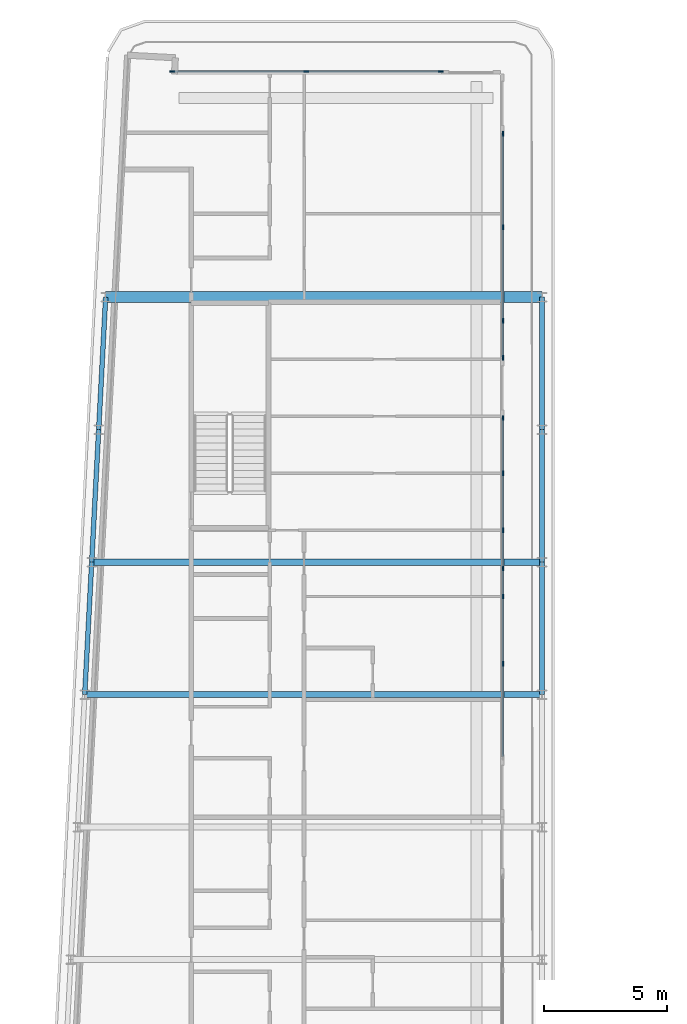
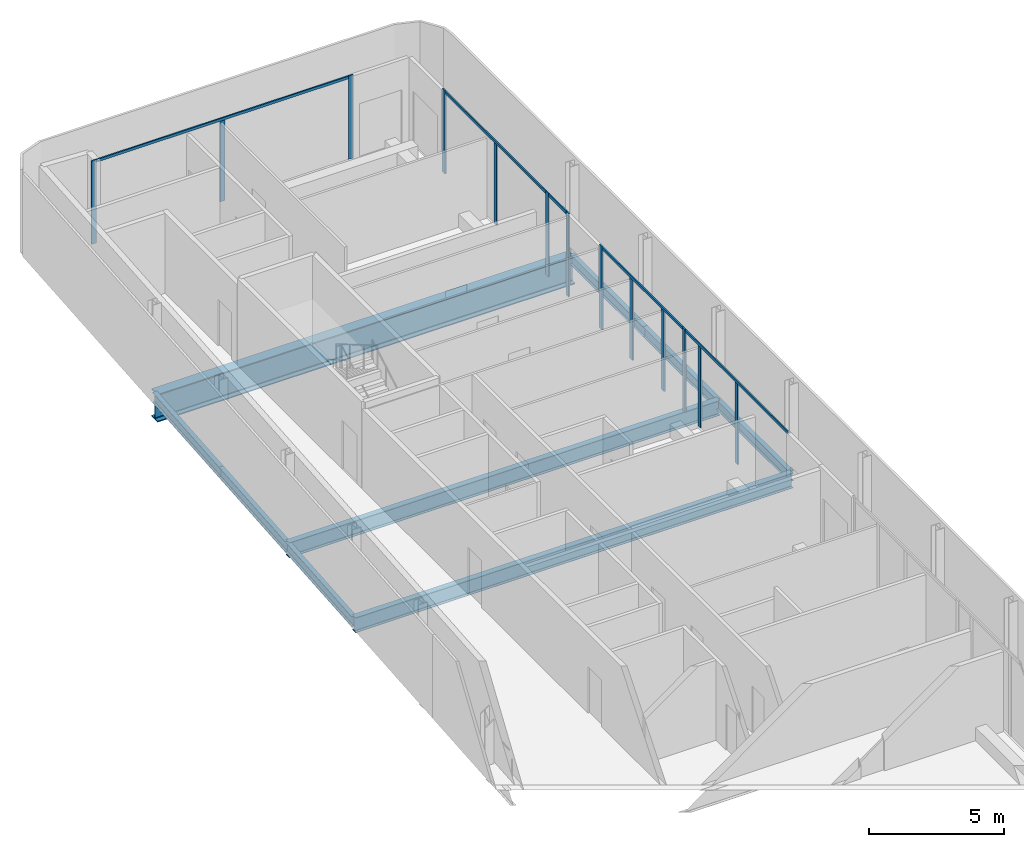
# One storey, part 6 of 18: 18 members, 9 beams, 5 elements without a shape of their own.
"""IFC4 building model written with IfcOpenShell, lengths in metres."""

from ifc_helpers import new_model, si_unit, direction, frame, origin, origin_2d, place, context, subcontext, project, spatial, rectangle, i_section, extrude, material, layer, layer_set, material_profile, profile_set, type_object, element, aggregate, save


model = new_model("IFC4")

# Units and contexts
model_context = context("Model", 3, precision=1e-05, world=origin(), true_north=direction((0.0, 1.0)))
body_context = subcontext(model_context, "Body", "Model", "MODEL_VIEW")
ifc_project = project(units=[si_unit("LENGTHUNIT", "METRE"), si_unit("AREAUNIT", "SQUARE_METRE"), si_unit("VOLUMEUNIT", "CUBIC_METRE"), si_unit("PLANEANGLEUNIT", "RADIAN"), si_unit("MASSUNIT", "GRAM", prefix="KILO")], contexts=[model_context])

# Site, building, storey
site_placement = place(None, origin())
site = spatial("IfcSite", under=ifc_project, at=site_placement, CompositionType="ELEMENT")
building_placement = place(site_placement, origin())
building = spatial("IfcBuilding", under=site, at=building_placement, Name="Kheshtan School and Residences Tower", CompositionType="ELEMENT")
storey_placement = place(building_placement, frame((0.0, 0.0, 377.300048828125)))
storey = spatial("IfcBuildingStorey", under=building, at=storey_placement, Name="L89", CompositionType="ELEMENT", Elevation=377.300048828125)

# Beams
ifc_material_1 = material(Name="Steel ASTM A992 Grade 50", Category="steel")
ifc_material_profile_1 = material_profile(ifc_material_1, i_section(OverallWidth=0.2529296875, OverallDepth=0.677978515625, WebThickness=0.01171875, FlangeThickness=0.016357421875, FilletRadius=0.0146484375, at=origin_2d()), Name="W690x125")
ifc_profile_set_1 = profile_set([ifc_material_profile_1], Name="Steel ASTM A992 Grade 50")
beam_type_1 = type_object("IfcBeamType", Name="Beam FB6 W690x125 ASTM A992 Grade 50", PredefinedType="BEAM", material=ifc_profile_set_1)
beam_1_placement = place(storey_placement, frame((47.60009765625, 78.0, -0.489013671875), z_axis=(-1.0, 0.0, 0.0), x_axis=(0.0, -1.0, 0.0)))
element("IfcBeam", 1, at=beam_1_placement, inside=storey, type_object=beam_type_1, Name="Floor beam C089", PredefinedType="BEAM", context=body_context, shape_type="SweptSolid", body=[
    extrude(i_section(OverallWidth=0.2529296875, OverallDepth=0.677978515625, WebThickness=0.01171875, FlangeThickness=0.016357421875, FilletRadius=0.0146484375, at=origin_2d()), origin(), (0.0, 0.0, 1.0), 18.357177734375),
])
beam_2_placement = place(storey_placement, frame((28.9580078125, 72.60009765625, -0.489013671875), z_axis=(1.0, 0.0, 0.0), x_axis=(0.0, 1.0, 0.0)))
element("IfcBeam", 2, at=beam_2_placement, inside=storey, type_object=beam_type_1, Name="Floor beam C086", PredefinedType="BEAM", context=body_context, shape_type="SweptSolid", body=[
    extrude(i_section(OverallWidth=0.2529296875, OverallDepth=0.677978515625, WebThickness=0.01171875, FlangeThickness=0.016357421875, FilletRadius=0.0146484375, at=origin_2d()), origin(), (0.0, 0.0, 1.0), 18.64208984375),
])
ifc_material_profile_2 = material_profile(ifc_material_1, i_section(OverallWidth=0.18994140625, OverallDepth=0.45703125, WebThickness=0.009033203125, FlangeThickness=0.014404296875, FilletRadius=0.01318359375, at=origin_2d()), Name="W460x74")
ifc_profile_set_2 = profile_set([ifc_material_profile_2], Name="Steel ASTM A992 Grade 50")
beam_type_2 = type_object("IfcBeamType", Name="Beam SP4 W460x74 ASTM A992 Grade 50", PredefinedType="BEAM", material=ifc_profile_set_2)
beam_3_placement = place(storey_placement, frame((47.60009765625, 88.800048828125, -0.378662109375), z_axis=(0.0, -1.0, 0.0), x_axis=(1.0, 0.0, 0.0)))
element("IfcBeam", 3, at=beam_3_placement, inside=storey, type_object=beam_type_2, Name="Spandrel beam C099-C091", PredefinedType="BEAM", context=body_context, shape_type="SweptSolid", body=[
    extrude(i_section(OverallWidth=0.18994140625, OverallDepth=0.45703125, WebThickness=0.009033203125, FlangeThickness=0.014404296875, FilletRadius=0.01318359375, at=origin_2d()), origin(), (0.0, 0.0, 1.0), 5.400146484375),
])
for number, where, z_axis, x_axis, name in (
    (4, (47.60009765625, 83.39990234375, -0.378662109375), (0.0, -1.0, 0.0), (1.0, 0.0, 0.0), "Spandrel beam C091-C089"),
    (5, (47.60009765625, 78.0, -0.378662109375), (0.0, -1.0, 0.0), (1.0, 0.0, 0.0), "Spandrel beam C089-C087"),
):
    element("IfcBeam", number, at=place(storey_placement, frame(where, z_axis=z_axis, x_axis=x_axis)), inside=storey, type_object=beam_type_2, Name=name, PredefinedType="BEAM", context=body_context, shape_type="SweptSolid", body=[
        extrude(i_section(OverallWidth=0.18994140625, OverallDepth=0.45703125, WebThickness=0.009033203125, FlangeThickness=0.014404296875, FilletRadius=0.01318359375, at=origin_2d()), origin(), (0.0, 0.0, 1.0), 5.39990234375),
    ])
for number, where, z_axis, x_axis, name in (
    (6, (28.9580078125, 72.60009765625, -0.378662109375), (0.052689166816, 0.998610961136, 0.0), (-0.998610961136, 0.052689166816, 0.0), "Spandrel beam C086-C088"),
    (7, (29.242919921875, 78.0, -0.378662109375), (0.052554093665, 0.998618078766, 0.0), (-0.998618078766, 0.052554093665, 0.0), "Spandrel beam C088-C090"),
):
    element("IfcBeam", number, at=place(storey_placement, frame(where, z_axis=z_axis, x_axis=x_axis)), inside=storey, type_object=beam_type_2, Name=name, PredefinedType="BEAM", context=body_context, shape_type="SweptSolid", body=[
        extrude(i_section(OverallWidth=0.18994140625, OverallDepth=0.45703125, WebThickness=0.009033203125, FlangeThickness=0.014404296875, FilletRadius=0.01318359375, at=origin_2d()), origin(), (0.0, 0.0, 1.0), 5.407470703125),
    ])
beam_4_placement = place(storey_placement, frame((29.527099609375, 83.39990234375, -0.378662109375), z_axis=(0.05250670125, 0.998620571751, 0.0), x_axis=(-0.998620571751, 0.05250670125, 0.0)))
element("IfcBeam", 8, at=beam_4_placement, inside=storey, type_object=beam_type_2, Name="Spandrel beam C090-C098", PredefinedType="BEAM", context=body_context, shape_type="SweptSolid", body=[
    extrude(i_section(OverallWidth=0.18994140625, OverallDepth=0.45703125, WebThickness=0.009033203125, FlangeThickness=0.014404296875, FilletRadius=0.01318359375, at=origin_2d()), origin(), (0.0, 0.0, 1.0), 5.40771484375),
])

# Curtain wall, members
ifc_material_2 = material(Name="Clear low-e glass in thermally broken aluminium frame", Category="aluminium")
ifc_layer = layer(ifc_material_2, 0.199951171875)
ifc_layer_set = layer_set([ifc_layer], Name="Curtain wall CW-L")
curtain_wall_type = type_object("IfcCurtainWallType", Name="Curtain wall CW-L", PredefinedType="NOTDEFINED", material=ifc_layer_set)
curtain_wall_1_placement = place(storey_placement, origin())
curtain_wall_1 = element("IfcCurtainWall", 9, at=curtain_wall_1_placement, inside=storey, type_object=curtain_wall_type, Name="Curtain wall CWL7", PredefinedType="NOTDEFINED")
ifc_material_3 = material(Name="Thermally broken aluminium, dark bronze anodised", Category="aluminium")
ifc_material_profile_3 = material_profile(ifc_material_3, rectangle(XDim=0.06005859375, YDim=0.199951171875, at=origin_2d()), Name="CW-L mullion 60x200")
ifc_profile_set_3 = profile_set([ifc_material_profile_3], Name="Thermally broken aluminium, dark bronze anodised")
member_type_1 = type_object("IfcMemberType", Name="CW-L mullion 60x200", PredefinedType="MULLION", material=ifc_profile_set_3)
member_1_placement = place(storey_placement, frame((32.52197265625, 98.0, 0.0), z_axis=(0.0, 0.0, 1.0), x_axis=(0.0, 1.0, 0.0)))
member_1 = element("IfcMember", 10, at=member_1_placement, type_object=member_type_1, Name="CWL7 mullion 1", PredefinedType="MULLION", context=body_context, shape_type="SweptSolid", body=[
    extrude(rectangle(XDim=0.06005859375, YDim=0.199951171875, at=origin_2d()), origin(), (0.0, 0.0, 1.0), 3.75),
])
member_2_placement = place(storey_placement, frame((37.99609375, 98.0, 0.0), z_axis=(0.0, 0.0, 1.0), x_axis=(0.0, 1.0, 0.0)))
member_2 = element("IfcMember", 11, at=member_2_placement, type_object=member_type_1, Name="CWL7 mullion 2", PredefinedType="MULLION", context=body_context, shape_type="SweptSolid", body=[
    extrude(rectangle(XDim=0.06005859375, YDim=0.199951171875, at=origin_2d()), origin(), (0.0, 0.0, 1.0), 3.6298828125),
])
member_3_placement = place(storey_placement, frame((43.469970703125, 98.0, 0.0), z_axis=(0.0, 0.0, 1.0), x_axis=(0.0, 1.0, 0.0)))
member_3 = element("IfcMember", 12, at=member_3_placement, type_object=member_type_1, Name="CWL7 mullion 3", PredefinedType="MULLION", context=body_context, shape_type="SweptSolid", body=[
    extrude(rectangle(XDim=0.06005859375, YDim=0.199951171875, at=origin_2d()), origin(), (0.0, 0.0, 1.0), 3.75),
])

curtain_wall_2_placement = place(storey_placement, origin())
curtain_wall_2 = element("IfcCurtainWall", 13, at=curtain_wall_2_placement, inside=storey, type_object=curtain_wall_type, Name="Curtain wall CWL8", PredefinedType="NOTDEFINED")
member_4_placement = place(storey_placement, frame((46.0, 95.469970703125, 0.0), z_axis=(0.0, 0.0, 1.0), x_axis=(1.0, 0.0, 0.0)))
member_4 = element("IfcMember", 14, at=member_4_placement, type_object=member_type_1, Name="CWL8 mullion 1", PredefinedType="MULLION", context=body_context, shape_type="SweptSolid", body=[
    extrude(rectangle(XDim=0.06005859375, YDim=0.199951171875, at=origin_2d()), origin(), (0.0, 0.0, 1.0), 3.75),
])
member_5_placement = place(storey_placement, frame((46.0, 91.653076171875, 0.0), z_axis=(0.0, 0.0, 1.0), x_axis=(1.0, 0.0, 0.0)))
member_5 = element("IfcMember", 15, at=member_5_placement, type_object=member_type_1, Name="CWL8 mullion 2", PredefinedType="MULLION", context=body_context, shape_type="SweptSolid", body=[
    extrude(rectangle(XDim=0.06005859375, YDim=0.199951171875, at=origin_2d()), origin(), (0.0, 0.0, 1.0), 3.6298828125),
])
member_6_placement = place(storey_placement, frame((46.0, 87.8359375, 0.0), z_axis=(0.0, 0.0, 1.0), x_axis=(1.0, 0.0, 0.0)))
member_6 = element("IfcMember", 16, at=member_6_placement, type_object=member_type_1, Name="CWL8 mullion 3", PredefinedType="MULLION", context=body_context, shape_type="SweptSolid", body=[
    extrude(rectangle(XDim=0.06005859375, YDim=0.199951171875, at=origin_2d()), origin(), (0.0, 0.0, 1.0), 3.75),
])

# Curtain wall, member
curtain_wall_3_placement = place(storey_placement, origin())
curtain_wall_3 = element("IfcCurtainWall", 17, at=curtain_wall_3_placement, inside=storey, type_object=curtain_wall_type, Name="Curtain wall CWL8a", PredefinedType="NOTDEFINED")
member_7_placement = place(storey_placement, frame((46.0, 86.3359375, 0.0), z_axis=(0.0, 0.0, 1.0), x_axis=(1.0, 0.0, 0.0)))
member_7 = element("IfcMember", 18, at=member_7_placement, type_object=member_type_1, Name="CWL8a mullion 2", PredefinedType="MULLION", context=body_context, shape_type="SweptSolid", body=[
    extrude(rectangle(XDim=0.06005859375, YDim=0.199951171875, at=origin_2d()), origin(), (0.0, 0.0, 1.0), 3.75),
])

# Curtain wall, members
curtain_wall_4_placement = place(storey_placement, origin())
curtain_wall_4 = element("IfcCurtainWall", 19, at=curtain_wall_4_placement, inside=storey, type_object=curtain_wall_type, Name="Curtain wall CWL8b", PredefinedType="NOTDEFINED")
member_8_placement = place(storey_placement, frame((46.0, 83.8759765625, 0.0), z_axis=(0.0, 0.0, 1.0), x_axis=(1.0, 0.0, 0.0)))
member_8 = element("IfcMember", 20, at=member_8_placement, type_object=member_type_1, Name="CWL8b mullion 1", PredefinedType="MULLION", context=body_context, shape_type="SweptSolid", body=[
    extrude(rectangle(XDim=0.06005859375, YDim=0.199951171875, at=origin_2d()), origin(), (0.0, 0.0, 1.0), 3.75),
])
member_9_placement = place(storey_placement, frame((46.0, 81.625, 0.0), z_axis=(0.0, 0.0, 1.0), x_axis=(1.0, 0.0, 0.0)))
member_9 = element("IfcMember", 21, at=member_9_placement, type_object=member_type_1, Name="CWL8b mullion 2", PredefinedType="MULLION", context=body_context, shape_type="SweptSolid", body=[
    extrude(rectangle(XDim=0.06005859375, YDim=0.199951171875, at=origin_2d()), origin(), (0.0, 0.0, 1.0), 3.6298828125),
])
member_10_placement = place(storey_placement, frame((46.0, 79.300048828125, 0.0), z_axis=(0.0, 0.0, 1.0), x_axis=(1.0, 0.0, 0.0)))
member_10 = element("IfcMember", 22, at=member_10_placement, type_object=member_type_1, Name="CWL8b mullion 3", PredefinedType="MULLION", context=body_context, shape_type="SweptSolid", body=[
    extrude(rectangle(XDim=0.06005859375, YDim=0.199951171875, at=origin_2d()), origin(), (0.0, 0.0, 1.0), 3.6298828125),
])
member_11_placement = place(storey_placement, frame((46.0, 77.741943359375, 0.0), z_axis=(0.0, 0.0, 1.0), x_axis=(1.0, 0.0, 0.0)))
member_11 = element("IfcMember", 23, at=member_11_placement, type_object=member_type_1, Name="CWL8b mullion 4", PredefinedType="MULLION", context=body_context, shape_type="SweptSolid", body=[
    extrude(rectangle(XDim=0.06005859375, YDim=0.199951171875, at=origin_2d()), origin(), (0.0, 0.0, 1.0), 3.75),
])

curtain_wall_5_placement = place(storey_placement, origin())
curtain_wall_5 = element("IfcCurtainWall", 24, at=curtain_wall_5_placement, inside=storey, type_object=curtain_wall_type, Name="Curtain wall CWL8c", PredefinedType="NOTDEFINED")
member_12_placement = place(storey_placement, frame((46.0, 76.60009765625, 0.0), z_axis=(0.0, 0.0, 1.0), x_axis=(1.0, 0.0, 0.0)))
member_12 = element("IfcMember", 25, at=member_12_placement, type_object=member_type_1, Name="CWL8c mullion 2", PredefinedType="MULLION", context=body_context, shape_type="SweptSolid", body=[
    extrude(rectangle(XDim=0.06005859375, YDim=0.199951171875, at=origin_2d()), origin(), (0.0, 0.0, 1.0), 3.6298828125),
])
member_13_placement = place(storey_placement, frame((46.0, 73.864990234375, 0.0), z_axis=(0.0, 0.0, 1.0), x_axis=(1.0, 0.0, 0.0)))
member_13 = element("IfcMember", 26, at=member_13_placement, type_object=member_type_1, Name="CWL8c mullion 3", PredefinedType="MULLION", context=body_context, shape_type="SweptSolid", body=[
    extrude(rectangle(XDim=0.06005859375, YDim=0.199951171875, at=origin_2d()), origin(), (0.0, 0.0, 1.0), 3.6298828125),
])

# Member
ifc_material_profile_4 = material_profile(ifc_material_3, rectangle(XDim=0.06005859375, YDim=0.1201171875, at=origin_2d()), Name="CW-L transom 60x120")
ifc_profile_set_4 = profile_set([ifc_material_profile_4], Name="Thermally broken aluminium, dark bronze anodised")
member_type_2 = type_object("IfcMemberType", Name="CW-L transom 60x120", PredefinedType="USERDEFINED", material=ifc_profile_set_4)
member_14_placement = place(storey_placement, frame((32.552001953125, 98.0, 3.68994140625), z_axis=(1.0, 0.0, 0.0), x_axis=(0.0, 1.0, 0.0)))
member_14 = element("IfcMember", 27, at=member_14_placement, type_object=member_type_2, Name="CWL7 transom 1", ObjectType="TRANSOM", PredefinedType="USERDEFINED", context=body_context, shape_type="SweptSolid", body=[
    extrude(rectangle(XDim=0.06005859375, YDim=0.1201171875, at=origin_2d()), origin(), (0.0, 0.0, 1.0), 10.887939453125),
])

aggregate(curtain_wall_1, [member_1, member_2, member_3, member_14])

member_15_placement = place(storey_placement, frame((46.0, 95.43994140625, 3.68994140625), z_axis=(0.0, -1.0, 0.0), x_axis=(1.0, 0.0, 0.0)))
member_15 = element("IfcMember", 28, at=member_15_placement, type_object=member_type_2, Name="CWL8 transom 1", ObjectType="TRANSOM", PredefinedType="USERDEFINED", context=body_context, shape_type="SweptSolid", body=[
    extrude(rectangle(XDim=0.06005859375, YDim=0.1201171875, at=origin_2d()), origin(), (0.0, 0.0, 1.0), 7.573974609375),
])

aggregate(curtain_wall_2, [member_4, member_5, member_6, member_15])

member_16_placement = place(storey_placement, frame((46.0, 87.805908203125, 3.68994140625), z_axis=(0.0, -1.0, 0.0), x_axis=(1.0, 0.0, 0.0)))
member_16 = element("IfcMember", 29, at=member_16_placement, type_object=member_type_2, Name="CWL8a transom 1", ObjectType="TRANSOM", PredefinedType="USERDEFINED", context=body_context, shape_type="SweptSolid", body=[
    extrude(rectangle(XDim=0.06005859375, YDim=0.1201171875, at=origin_2d()), origin(), (0.0, 0.0, 1.0), 1.43994140625),
])

aggregate(curtain_wall_3, [member_7, member_16])

member_17_placement = place(storey_placement, frame((46.0, 83.845947265625, 3.68994140625), z_axis=(0.0, -1.0, 0.0), x_axis=(1.0, 0.0, 0.0)))
member_17 = element("IfcMember", 30, at=member_17_placement, type_object=member_type_2, Name="CWL8b transom 1", ObjectType="TRANSOM", PredefinedType="USERDEFINED", context=body_context, shape_type="SweptSolid", body=[
    extrude(rectangle(XDim=0.06005859375, YDim=0.1201171875, at=origin_2d()), origin(), (0.0, 0.0, 1.0), 6.073974609375),
])

aggregate(curtain_wall_4, [member_8, member_9, member_10, member_11, member_17])

member_18_placement = place(storey_placement, frame((46.0, 77.7119140625, 3.68994140625), z_axis=(0.0, -1.0, 0.0), x_axis=(1.0, 0.0, 0.0)))
member_18 = element("IfcMember", 31, at=member_18_placement, type_object=member_type_2, Name="CWL8c transom 1", ObjectType="TRANSOM", PredefinedType="USERDEFINED", context=body_context, shape_type="SweptSolid", body=[
    extrude(rectangle(XDim=0.06005859375, YDim=0.1201171875, at=origin_2d()), origin(), (0.0, 0.0, 1.0), 7.634033203125),
])

aggregate(curtain_wall_5, [member_12, member_13, member_18])

# Beam
ifc_material_profile_5 = material_profile(ifc_material_1, i_section(OverallWidth=0.449951171875, OverallDepth=1.25, WebThickness=0.02490234375, FlangeThickness=0.044921875, FilletRadius=0.03759765625, at=origin_2d()), Name="WWF1250x546")
ifc_profile_set_5 = profile_set([ifc_material_profile_5], Name="Steel ASTM A992 Grade 50")
beam_type_3 = type_object("IfcBeamType", Name="Transfer girder TG4 WWF1250x546 ASTM A992 Grade 50", PredefinedType="BEAM", material=ifc_profile_set_5)
beam_5_placement = place(storey_placement, frame((29.81103515625, 88.800048828125, -0.775146484375), z_axis=(1.0, 0.0, 0.0), x_axis=(0.0, 1.0, 0.0)))
element("IfcBeam", 32, at=beam_5_placement, inside=storey, type_object=beam_type_3, Name="Transfer girder C098-C099", PredefinedType="BEAM", context=body_context, shape_type="SweptSolid", body=[
    extrude(i_section(OverallWidth=0.449951171875, OverallDepth=1.25, WebThickness=0.02490234375, FlangeThickness=0.044921875, FilletRadius=0.03759765625, at=origin_2d()), origin(), (0.0, 0.0, 1.0), 17.7890625),
])

save(model, "model.ifc")
